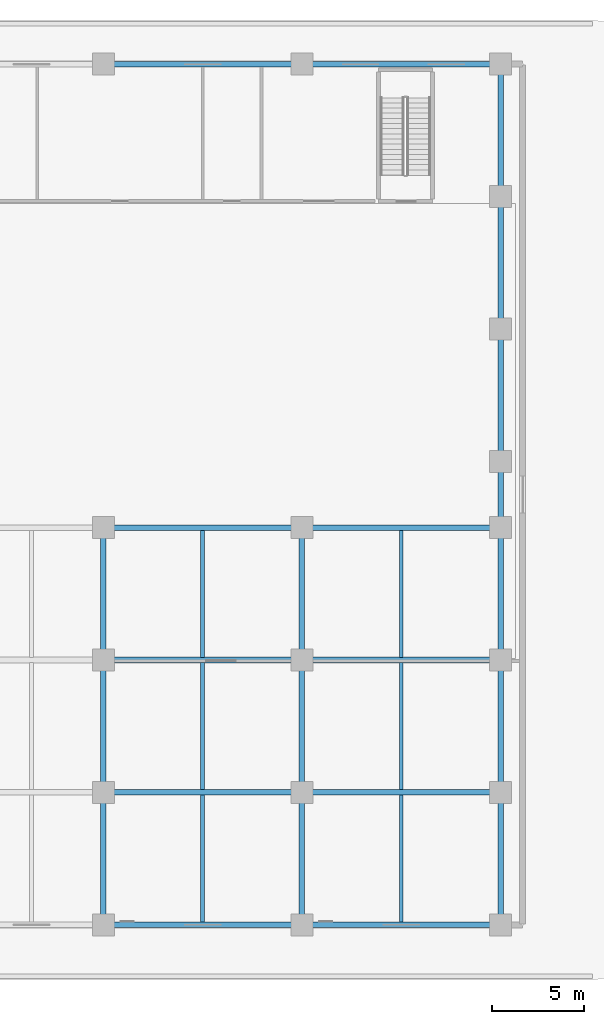
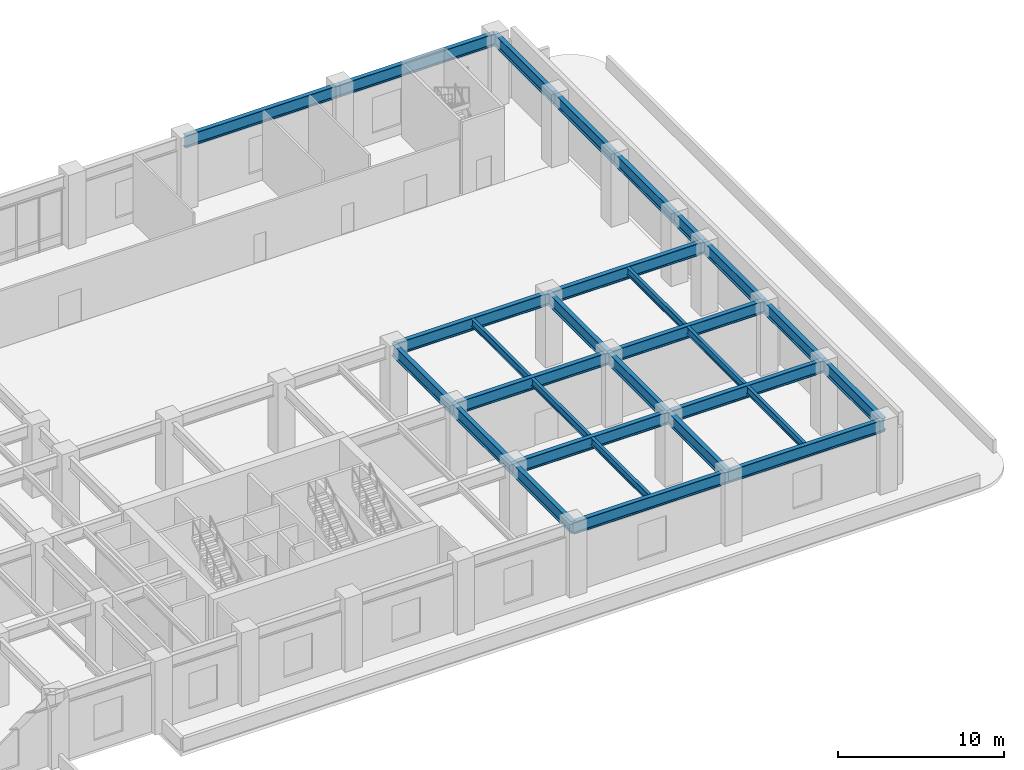
# One storey, part 4 of 20: 29 beams.
"""IFC4 building model written with IfcOpenShell, lengths in metres."""

from ifc_helpers import new_model, si_unit, derived_unit, direction, frame, origin, origin_2d, place, context, subcontext, project, spatial, i_section, extrude, source, transform, mapped, material, material_profile, profile_set, type_object, type_shapes, element, save


model = new_model("IFC4")

# Units and contexts
model_context = context("Model", 3, precision=1e-05, world=origin(), true_north=direction((0.0, 1.0)))
body_context = subcontext(model_context, "Body", "Model", "MODEL_VIEW")
ifc_project = project(units=[si_unit("LENGTHUNIT", "METRE"), si_unit("AREAUNIT", "SQUARE_METRE"), si_unit("VOLUMEUNIT", "CUBIC_METRE"), si_unit("PLANEANGLEUNIT", "RADIAN"), si_unit("MASSUNIT", "GRAM", prefix="KILO"), si_unit("THERMODYNAMICTEMPERATUREUNIT", "KELVIN"), si_unit("POWERUNIT", "WATT"), derived_unit("THERMALTRANSMITTANCEUNIT", [(si_unit("POWERUNIT", "WATT"), 1), (si_unit("AREAUNIT", "SQUARE_METRE"), -1), (si_unit("THERMODYNAMICTEMPERATUREUNIT", "KELVIN"), -1)])], contexts=[model_context])

# Site, building, storey
site_placement = place(None, origin())
site = spatial("IfcSite", under=ifc_project, at=site_placement, CompositionType="ELEMENT")
building_placement = place(site_placement, origin())
building = spatial("IfcBuilding", under=site, at=building_placement, Name="Zahravan Archway Hotel and Residences", CompositionType="ELEMENT")
storey_placement = place(building_placement, frame((0.0, 0.0, 16.199951171875)))
storey = spatial("IfcBuildingStorey", under=building, at=storey_placement, Name="L03", CompositionType="ELEMENT", Elevation=16.199951171875)

# Beams
ifc_material_1 = material(Name="Structural Steel S355J2", Category="steel")
ifc_material_profile_1 = material_profile(ifc_material_1, i_section(OverallWidth=0.300048828125, OverallDepth=0.89990234375, WebThickness=0.0185546875, FlangeThickness=0.034912109375, FilletRadius=0.030029296875, at=origin_2d()), Name="HEB 900", Category="steel")
ifc_profile_set_1 = profile_set([ifc_material_profile_1], Name="Structural Steel S355J2")
beam_type_1 = type_object("IfcBeamType", Name="BM-PRI-HEB900", PredefinedType="BEAM", material=ifc_profile_set_1)
shared_shape_1 = source(origin(), body_context, "Body", "SweptSolid", [
    extrude(i_section(OverallWidth=0.300048828125, OverallDepth=0.89990234375, WebThickness=0.0185546875, FlangeThickness=0.034912109375, FilletRadius=0.030029296875, at=origin_2d()), origin(), (0.0, 0.0, 1.0), 7.199951171875),
])
for number, where, z_axis, x_axis, name in (
    (1, (57.60009765625, 0.0, 4.650146484375), (0.0, 1.0, 0.0), (-1.0, 0.0, 0.0), "L03 Primary Girder NS-117"),
    (2, (57.60009765625, 7.199951171875, 4.650146484375), (0.0, 1.0, 0.0), (-1.0, 0.0, 0.0), "L03 Primary Girder NS-118"),
    (3, (68.39990234375, 0.0, 4.650146484375), (0.0, 1.0, 0.0), (-1.0, 0.0, 0.0), "L03 Primary Girder NS-120"),
    (4, (68.39990234375, 7.199951171875, 4.650146484375), (0.0, 1.0, 0.0), (-1.0, 0.0, 0.0), "L03 Primary Girder NS-121"),
    (5, (79.199951171875, 0.0, 4.650146484375), (0.0, 1.0, 0.0), (-1.0, 0.0, 0.0), "L03 Primary Girder NS-123"),
    (6, (79.199951171875, 7.199951171875, 4.650146484375), (0.0, 1.0, 0.0), (-1.0, 0.0, 0.0), "L03 Primary Girder NS-124"),
    (7, (79.199951171875, 25.199951171875, 4.650146484375), (0.0, 1.0, 0.0), (-1.0, 0.0, 0.0), "L03 Primary Girder NS-127"),
    (8, (79.199951171875, 39.60009765625, 4.650146484375), (0.0, 1.0, 0.0), (-1.0, 0.0, 0.0), "L03 Primary Girder NS-129"),
):
    element("IfcBeam", number, at=place(storey_placement, frame(where, z_axis=z_axis, x_axis=x_axis)), inside=storey, type_object=beam_type_1, Name=name, PredefinedType="BEAM", context=body_context, shape_type="MappedRepresentation", body=[
        mapped(shared_shape_1, transform((0.0, 0.0, 0.0), scale=1.0)),
    ])
shared_shape_2 = source(origin(), body_context, "Body", "SweptSolid", [
    extrude(i_section(OverallWidth=0.300048828125, OverallDepth=0.89990234375, WebThickness=0.0185546875, FlangeThickness=0.034912109375, FilletRadius=0.030029296875, at=origin_2d()), origin(), (0.0, 0.0, 1.0), 7.2001953125),
])
for number, where, z_axis, x_axis, name in (
    (9, (57.60009765625, 14.39990234375, 4.650146484375), (0.0, 1.0, 0.0), (-1.0, 0.0, 0.0), "L03 Primary Girder NS-119"),
    (10, (68.39990234375, 14.39990234375, 4.650146484375), (0.0, 1.0, 0.0), (-1.0, 0.0, 0.0), "L03 Primary Girder NS-122"),
    (11, (79.199951171875, 14.39990234375, 4.650146484375), (0.0, 1.0, 0.0), (-1.0, 0.0, 0.0), "L03 Primary Girder NS-125"),
    (12, (79.199951171875, 32.39990234375, 4.650146484375), (0.0, 1.0, 0.0), (-1.0, 0.0, 0.0), "L03 Primary Girder NS-128"),
):
    element("IfcBeam", number, at=place(storey_placement, frame(where, z_axis=z_axis, x_axis=x_axis)), inside=storey, type_object=beam_type_1, Name=name, PredefinedType="BEAM", context=body_context, shape_type="MappedRepresentation", body=[
        mapped(shared_shape_2, transform((0.0, 0.0, 0.0), scale=1.0)),
    ])
shared_shape_3 = source(origin(), body_context, "Body", "SweptSolid", [
    extrude(i_section(OverallWidth=0.300048828125, OverallDepth=0.89990234375, WebThickness=0.0185546875, FlangeThickness=0.034912109375, FilletRadius=0.030029296875, at=origin_2d()), origin(), (0.0, 0.0, 1.0), 10.7998046875),
])
for number, where, z_axis, x_axis, name in (
    (13, (57.60009765625, 0.0, 4.650146484375), (1.0, 0.0, 0.0), (0.0, 1.0, 0.0), "L03 Primary Girder EW-10"),
    (14, (57.60009765625, 7.199951171875, 4.650146484375), (1.0, 0.0, 0.0), (0.0, 1.0, 0.0), "L03 Primary Girder EW-19"),
    (15, (57.60009765625, 14.39990234375, 4.650146484375), (1.0, 0.0, 0.0), (0.0, 1.0, 0.0), "L03 Primary Girder EW-28"),
    (16, (57.60009765625, 21.60009765625, 4.650146484375), (1.0, 0.0, 0.0), (0.0, 1.0, 0.0), "L03 Primary Girder EW-39"),
    (17, (57.60009765625, 46.800048828125, 4.650146484375), (1.0, 0.0, 0.0), (0.0, 1.0, 0.0), "L03 Primary Girder EW-68"),
):
    element("IfcBeam", number, at=place(storey_placement, frame(where, z_axis=z_axis, x_axis=x_axis)), inside=storey, type_object=beam_type_1, Name=name, PredefinedType="BEAM", context=body_context, shape_type="MappedRepresentation", body=[
        mapped(shared_shape_3, transform((0.0, 0.0, 0.0), scale=1.0)),
    ])
shared_shape_4 = source(origin(), body_context, "Body", "SweptSolid", [
    extrude(i_section(OverallWidth=0.300048828125, OverallDepth=0.89990234375, WebThickness=0.0185546875, FlangeThickness=0.034912109375, FilletRadius=0.030029296875, at=origin_2d()), origin(), (0.0, 0.0, 1.0), 10.800048828125),
])
for number, where, z_axis, x_axis, name in (
    (18, (68.39990234375, 0.0, 4.650146484375), (1.0, 0.0, 0.0), (0.0, 1.0, 0.0), "L03 Primary Girder EW-11"),
    (19, (68.39990234375, 7.199951171875, 4.650146484375), (1.0, 0.0, 0.0), (0.0, 1.0, 0.0), "L03 Primary Girder EW-20"),
    (20, (68.39990234375, 14.39990234375, 4.650146484375), (1.0, 0.0, 0.0), (0.0, 1.0, 0.0), "L03 Primary Girder EW-29"),
    (21, (68.39990234375, 21.60009765625, 4.650146484375), (1.0, 0.0, 0.0), (0.0, 1.0, 0.0), "L03 Primary Girder EW-40"),
    (22, (68.39990234375, 46.800048828125, 4.650146484375), (1.0, 0.0, 0.0), (0.0, 1.0, 0.0), "L03 Primary Girder EW-69"),
):
    element("IfcBeam", number, at=place(storey_placement, frame(where, z_axis=z_axis, x_axis=x_axis)), inside=storey, type_object=beam_type_1, Name=name, PredefinedType="BEAM", context=body_context, shape_type="MappedRepresentation", body=[
        mapped(shared_shape_4, transform((0.0, 0.0, 0.0), scale=1.0)),
    ])
shared_shape_5 = source(origin(), body_context, "Body", "SweptSolid", [
    extrude(i_section(OverallWidth=0.300048828125, OverallDepth=0.89990234375, WebThickness=0.0185546875, FlangeThickness=0.034912109375, FilletRadius=0.030029296875, at=origin_2d()), origin(), (0.0, 0.0, 1.0), 3.599853515625),
])
beam_placement = place(storey_placement, frame((79.199951171875, 21.60009765625, 4.650146484375), z_axis=(0.0, 1.0, 0.0), x_axis=(-1.0, 0.0, 0.0)))
element("IfcBeam", 23, at=beam_placement, inside=storey, type_object=beam_type_1, Name="L03 Primary Girder NS-126", PredefinedType="BEAM", context=body_context, shape_type="MappedRepresentation", body=[
    mapped(shared_shape_5, transform((0.0, 0.0, 0.0), scale=1.0)),
])
ifc_material_2 = material(Name="Structural Steel S355JR", Category="steel")
ifc_material_profile_2 = material_profile(ifc_material_2, i_section(OverallWidth=0.2099609375, OverallDepth=0.550048828125, WebThickness=0.010986328125, FlangeThickness=0.01708984375, FilletRadius=0.02392578125, at=origin_2d()), Name="IPE 550", Category="steel")
ifc_profile_set_2 = profile_set([ifc_material_profile_2], Name="Structural Steel S355JR")
beam_type_2 = type_object("IfcBeamType", Name="BM-JST-IPE550", PredefinedType="JOIST", material=ifc_profile_set_2)
shared_shape_6 = source(origin(), body_context, "Body", "SweptSolid", [
    extrude(i_section(OverallWidth=0.2099609375, OverallDepth=0.550048828125, WebThickness=0.010986328125, FlangeThickness=0.01708984375, FilletRadius=0.02392578125, at=origin_2d()), origin(), (0.0, 0.0, 1.0), 6.904052734375),
])
type_shapes(beam_type_2, [shared_shape_6])
for number, where, z_axis, x_axis, name in (
    (24, (63.0, 0.14794921875, 4.824951171875), (0.0, 1.0, 0.0), (-1.0, 0.0, 0.0), "L03 Composite Floor Joist 08"),
    (25, (73.800048828125, 0.14794921875, 4.824951171875), (0.0, 1.0, 0.0), (-1.0, 0.0, 0.0), "L03 Composite Floor Joist 09"),
    (26, (63.0, 7.347900390625, 4.824951171875), (0.0, 1.0, 0.0), (-1.0, 0.0, 0.0), "L03 Composite Floor Joist 17"),
    (27, (73.800048828125, 7.347900390625, 4.824951171875), (0.0, 1.0, 0.0), (-1.0, 0.0, 0.0), "L03 Composite Floor Joist 18"),
):
    element("IfcBeam", number, at=place(storey_placement, frame(where, z_axis=z_axis, x_axis=x_axis)), inside=storey, type_object=beam_type_2, Name=name, PredefinedType="JOIST", context=body_context, shape_type="MappedRepresentation", body=[
        mapped(shared_shape_6, transform((0.0, 0.0, 0.0), scale=1.0)),
    ])
shared_shape_7 = source(origin(), body_context, "Body", "SweptSolid", [
    extrude(i_section(OverallWidth=0.2099609375, OverallDepth=0.550048828125, WebThickness=0.010986328125, FlangeThickness=0.01708984375, FilletRadius=0.02392578125, at=origin_2d()), origin(), (0.0, 0.0, 1.0), 6.90380859375),
])
for number, where, z_axis, x_axis, name in (
    (28, (63.0, 14.548095703125, 4.824951171875), (0.0, 1.0, 0.0), (-1.0, 0.0, 0.0), "L03 Composite Floor Joist 26"),
    (29, (73.800048828125, 14.548095703125, 4.824951171875), (0.0, 1.0, 0.0), (-1.0, 0.0, 0.0), "L03 Composite Floor Joist 27"),
):
    element("IfcBeam", number, at=place(storey_placement, frame(where, z_axis=z_axis, x_axis=x_axis)), inside=storey, type_object=beam_type_2, Name=name, PredefinedType="JOIST", context=body_context, shape_type="MappedRepresentation", body=[
        mapped(shared_shape_7, transform((0.0, 0.0, 0.0), scale=1.0)),
    ])

save(model, "model.ifc")
